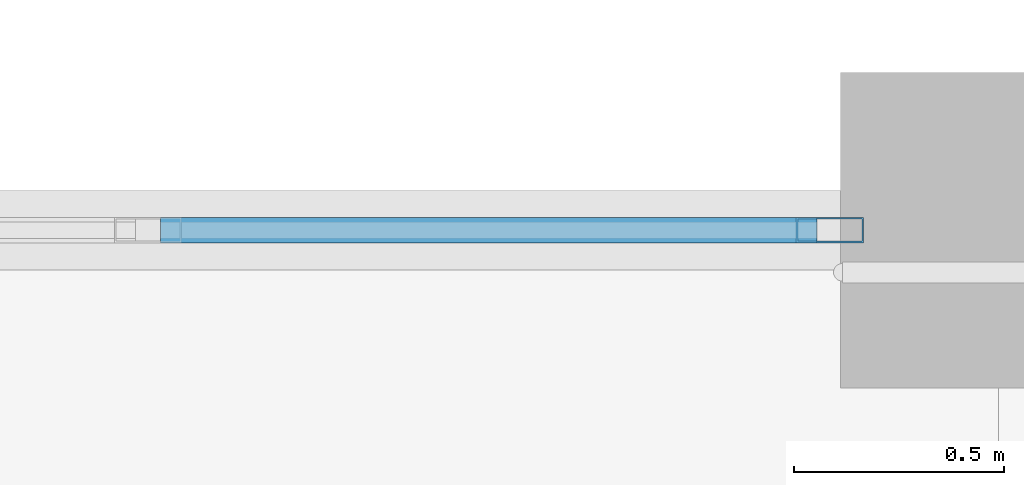
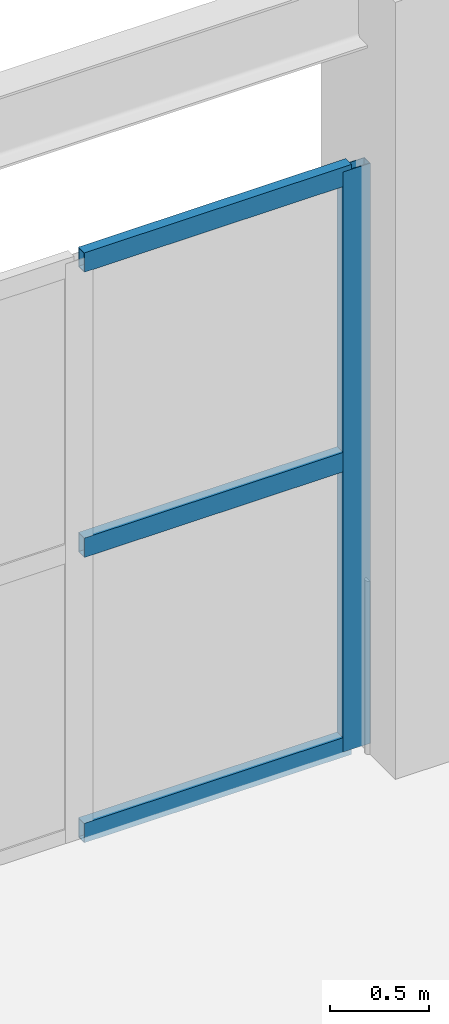
# One storey, part 45 of 89: 4 members, 1 element without a shape of its own.
"""IFC4 building model written with IfcOpenShell, lengths in metres."""

import ifcopenshell
import ifcopenshell.guid

model = None  # the IFC model being written
_history = None  # IfcOwnerHistory: only IFC2X3 demands one
_inside = {}  # id of a spatial element -> (the spatial element, [elements in it])
_under = {}  # id of a project, library or spatial element -> (it, [spatial elements below it])
_declared = {}  # id of a project -> (the project, [libraries it declares])
_typed = {}  # id of a type object -> (the type object, [elements of that type])
_made_of = {}  # id of a material, layer set ... -> (it, [elements and type objects made of it])


def new_model(schema):
    """Start an empty IFC model of exactly this schema.

    Asked for "IFC4X3", IfcOpenShell would pick the latest addendum, in which some entities
    have other attributes; the version numbers below select the first issue.
    IFC2X3 requires an IfcOwnerHistory on every rooted entity: one is made here for all.
    """
    global model, _history
    if schema == "IFC4X3":
        model = ifcopenshell.file(schema_version=(4, 3, 0, 0))
    else:
        model = ifcopenshell.file(schema=schema)
    _inside.clear()
    _under.clear()
    _declared.clear()
    _typed.clear()
    _made_of.clear()
    _history = None
    if model.schema == "IFC2X3":
        org = make("IfcOrganization", Name="unknown")
        user = make(
            "IfcPersonAndOrganization",
            ThePerson=make("IfcPerson", FamilyName="unknown"),
            TheOrganization=org,
        )
        app = make(
            "IfcApplication",
            ApplicationDeveloper=org,
            Version="unknown",
            ApplicationFullName="unknown",
            ApplicationIdentifier="unknown",
        )
        _history = make(
            "IfcOwnerHistory",
            OwningUser=user,
            OwningApplication=app,
            ChangeAction="ADDED",
            CreationDate=0,
        )
    return model


def make(cls, **values):
    """One entity of the class cls with the attributes given. An attribute that is None is left unset."""
    return model.create_entity(
        cls, **{name: value for name, value in values.items() if value is not None}
    )


def rooted(cls, **values):
    """An entity with a GlobalId (a new one), such as an element, a storey or a relation."""
    return make(cls, GlobalId=ifcopenshell.guid.new(), OwnerHistory=_history, **values)


def si_unit(unit_type, name, prefix=None):
    """IfcSIUnit, for example si_unit("LENGTHUNIT", "METRE", prefix="MILLI")."""
    return make("IfcSIUnit", UnitType=unit_type, Prefix=prefix, Name=name)


def assignment(units):
    """IfcUnitAssignment: the units of a project."""
    return None if units is None else make("IfcUnitAssignment", Units=units)


def point(xyz):
    """IfcCartesianPoint."""
    return None if xyz is None else make("IfcCartesianPoint", Coordinates=xyz)


def direction(xyz):
    """IfcDirection."""
    return None if xyz is None else make("IfcDirection", DirectionRatios=xyz)


def frame(location, z_axis=None, x_axis=None):
    """IfcAxis2Placement3D, a coordinate frame: its origin and axes. An axis left out is left unset."""
    return make(
        "IfcAxis2Placement3D",
        Location=point(location),
        Axis=direction(z_axis),
        RefDirection=direction(x_axis),
    )


def frame_2d(location, x_axis=None):
    """IfcAxis2Placement2D, a coordinate frame in the plane: its origin and x axis."""
    return make(
        "IfcAxis2Placement2D", Location=point(location), RefDirection=direction(x_axis)
    )


def origin():
    """The frame at (0, 0, 0) with its axes left unset."""
    return frame((0.0, 0.0, 0.0))


def origin_2d():
    """The frame at (0, 0) in the plane with its x axis left unset."""
    return frame_2d((0.0, 0.0))


def place(relative_to, where):
    """IfcLocalPlacement: puts the frame where relative to a parent placement (None: the world)."""
    return make(
        "IfcLocalPlacement", PlacementRelTo=relative_to, RelativePlacement=where
    )


def context(
    kind, dimensions, precision=None, world=None, true_north=None, identifier=None
):
    """IfcGeometricRepresentationContext, for example the 3D "Model" context."""
    return make(
        "IfcGeometricRepresentationContext",
        ContextIdentifier=identifier,
        ContextType=kind,
        CoordinateSpaceDimension=dimensions,
        Precision=precision,
        WorldCoordinateSystem=world,
        TrueNorth=true_north,
    )


def subcontext(parent, identifier, kind, view, scale=None):
    """IfcGeometricRepresentationSubContext, for example "Body" below "Model"."""
    return make(
        "IfcGeometricRepresentationSubContext",
        ContextIdentifier=identifier,
        ContextType=kind,
        ParentContext=parent,
        TargetScale=scale,
        TargetView=view,
    )


def project(units=None, contexts=None):
    """IfcProject with its units and contexts."""
    return rooted(
        "IfcProject",
        Name="project",
        RepresentationContexts=contexts,
        UnitsInContext=assignment(units),
    )


def spatial(cls, under=None, at=None, **own):
    """A site, building, storey or space (cls), placed at a placement, below another one or the project."""
    s = rooted(cls, ObjectPlacement=at, **own)
    if under is not None:
        _under.setdefault(under.id(), (under, []))[1].append(s)
    return s


def profile(cls, at=None, kind="AREA", **sizes):
    """A parametric profile (cls). Its sizes go by their IFC names, for example OverallWidth=200.0."""
    return make(cls, ProfileType=kind, Position=at, **sizes)


def hollow_rectangle(**sizes):
    """IfcRectangleHollowProfileDef."""
    return profile("IfcRectangleHollowProfileDef", **sizes)


def extrude(swept, where, along, depth):
    """IfcExtrudedAreaSolid: the profile swept, set in the frame where, extruded along a direction by depth."""
    return make(
        "IfcExtrudedAreaSolid",
        SweptArea=swept,
        Position=where,
        ExtrudedDirection=direction(along),
        Depth=depth,
    )


def shape(context_of_items, identifier, shape_type, items):
    """IfcShapeRepresentation: the items that make up one representation, for example the "Body"."""
    return make(
        "IfcShapeRepresentation",
        ContextOfItems=context_of_items,
        RepresentationIdentifier=identifier,
        RepresentationType=shape_type,
        Items=items,
    )


def material(Name=None, Category=None):
    """IfcMaterial."""
    return make("IfcMaterial", Name=Name, Category=Category)


def layer(
    of_material, thickness, ventilated=None, Name=None, Category=None, Priority=None
):
    """IfcMaterialLayer: one layer of a wall or slab, of a material (None: an air gap)."""
    return make(
        "IfcMaterialLayer",
        Material=of_material,
        LayerThickness=thickness,
        IsVentilated=ventilated,
        Name=Name,
        Category=Category,
        Priority=Priority,
    )


def layer_set(layers, Name=None):
    """IfcMaterialLayerSet."""
    return make("IfcMaterialLayerSet", MaterialLayers=layers, LayerSetName=Name)


def material_profile(
    of_material, cross_section, Name=None, Category=None, Priority=None
):
    """IfcMaterialProfile: a cross section and its material."""
    return make(
        "IfcMaterialProfile",
        Name=Name,
        Material=of_material,
        Profile=cross_section,
        Priority=Priority,
        Category=Category,
    )


def profile_set(profiles, Name=None, composite=None):
    """IfcMaterialProfileSet."""
    return make(
        "IfcMaterialProfileSet",
        Name=Name,
        MaterialProfiles=profiles,
        CompositeProfile=composite,
    )


def made_of(thing, what):
    """Note that an element or type object is made of a material, layer set ...; save() writes the relation."""
    if what is not None:
        _made_of.setdefault(what.id(), (what, []))[1].append(thing)
    return thing


def type_object(cls, material=None, **own):
    """A type object (cls), such as IfcWallType, which elements share."""
    return made_of(rooted(cls, **own), material)


def element(
    cls,
    number,
    at=None,
    inside=None,
    cuts=None,
    type_object=None,
    material=None,
    context=None,
    identifier="Body",
    shape_type=None,
    held_by="IfcProductDefinitionShape",
    body=None,
    shapes=None,
    **own,
):
    """One element of the class cls, such as IfcWall. Its Tag is "e" and its number.

    at: its placement. inside: the storey or other place that contains it. cuts: it is an
    opening in that element (IfcRelVoidsElement). A single representation is given by context,
    identifier, shape_type and body (its items); several are given by shapes. held_by: the class
    of the entity that holds the representations. save() writes the other relations.
    """
    e = rooted(cls, Tag="e%d" % number, ObjectPlacement=at, **own)
    if body is not None:
        shapes = [shape(context, identifier, shape_type, body)]
    if shapes is not None:
        e.Representation = make(held_by, Representations=shapes)
    if inside is not None:
        _inside.setdefault(inside.id(), (inside, []))[1].append(e)
    if cuts is not None:
        rooted(
            "IfcRelVoidsElement", RelatingBuildingElement=cuts, RelatedOpeningElement=e
        )
    if type_object is not None:
        _typed.setdefault(type_object.id(), (type_object, []))[1].append(e)
    return made_of(e, material)


def aggregate(whole, parts):
    """IfcRelAggregates: a whole, such as a stair, and the parts it consists of."""
    return rooted("IfcRelAggregates", RelatingObject=whole, RelatedObjects=parts)


def save(model, path):
    """Write the relations noted so far, then the file.

    IfcRelAggregates (storeys below a building ...), IfcRelContainedInSpatialStructure (elements
    in a storey), IfcRelDefinesByType, IfcRelAssociatesMaterial and IfcRelDeclares: one each for
    every whole, place, type object, material and project.
    """
    for whole, parts in _under.values():
        aggregate(whole, parts)
    for where, things in _inside.values():
        rooted(
            "IfcRelContainedInSpatialStructure",
            RelatedElements=things,
            RelatingStructure=where,
        )
    for kind, things in _typed.values():
        rooted("IfcRelDefinesByType", RelatedObjects=things, RelatingType=kind)
    for what, things in _made_of.values():
        rooted("IfcRelAssociatesMaterial", RelatedObjects=things, RelatingMaterial=what)
    for by, libraries in _declared.values():
        rooted("IfcRelDeclares", RelatingContext=by, RelatedDefinitions=libraries)
    model.write(path)


model = new_model("IFC4")

# Units and contexts
model_context = context("Model", 3, precision=1e-05, world=origin(), true_north=direction((0.0, 1.0)))
body_context = subcontext(model_context, "Body", "Model", "MODEL_VIEW")
ifc_project = project(units=[si_unit("LENGTHUNIT", "METRE"), si_unit("AREAUNIT", "SQUARE_METRE"), si_unit("VOLUMEUNIT", "CUBIC_METRE"), si_unit("PLANEANGLEUNIT", "RADIAN"), si_unit("MASSUNIT", "GRAM", prefix="KILO")], contexts=[model_context])

# Site, building, storey
site_placement = place(None, origin())
site = spatial("IfcSite", under=ifc_project, at=site_placement, CompositionType="ELEMENT")
building_placement = place(site_placement, origin())
building = spatial("IfcBuilding", under=site, at=building_placement, Name="Dornveld Trade and Exhibition Forum", CompositionType="ELEMENT")
storey_placement = place(building_placement, frame((0.0, 0.0, 12.0)))
storey = spatial("IfcBuildingStorey", under=building, at=storey_placement, Name="L02", CompositionType="ELEMENT", Elevation=12.0)

# Curtain wall, members
ifc_material_1 = material(Name="Dark-bronze anodised aluminium and low-E glass", Category="aluminium")
ifc_layer = layer(ifc_material_1, 0.159912109375)
ifc_layer_set = layer_set([ifc_layer], Name="Dark-bronze anodised aluminium and low-E glass")
curtain_wall_type = type_object("IfcCurtainWallType", Name="CW-SYS-06", PredefinedType="USERDEFINED", material=ifc_layer_set)
curtain_wall_placement = place(storey_placement, origin())
curtain_wall = element("IfcCurtainWall", 1, at=curtain_wall_placement, inside=storey, type_object=curtain_wall_type, Name="L02 unitised curtain wall 24", ObjectType="UNITISED_CURTAIN_WALL", PredefinedType="USERDEFINED")
ifc_material_2 = material(Name="Dark-bronze anodised aluminium", Category="aluminium")
ifc_material_profile_1 = material_profile(ifc_material_2, hollow_rectangle(XDim=0.06005859375, YDim=0.159912109375, WallThickness=0.00390625, at=origin_2d()), Name="RHS 160x60x4")
ifc_profile_set_1 = profile_set([ifc_material_profile_1], Name="Dark-bronze anodised aluminium")
member_type_1 = type_object("IfcMemberType", Name="CW-MUL-160", PredefinedType="MULLION", material=ifc_profile_set_1)
member_1_placement = place(storey_placement, frame((53.59912109375, 135.0, -0.00390625), z_axis=(0.0, 0.0, 1.0), x_axis=(0.0, -1.0, 0.0)))
member_1 = element("IfcMember", 2, at=member_1_placement, type_object=member_type_1, Name="CW-06 mullion 1", PredefinedType="MULLION", context=body_context, shape_type="SweptSolid", body=[
    extrude(hollow_rectangle(XDim=0.06005859375, YDim=0.159912109375, WallThickness=0.00390625, at=origin_2d()), origin(), (0.0, 0.0, 1.0), 3.583984375),
])
ifc_material_3 = material(Name="Dark-bronze anodised aluminium", Category="aluminium")
ifc_material_profile_2 = material_profile(ifc_material_3, hollow_rectangle(XDim=0.06005859375, YDim=0.1201171875, WallThickness=0.00390625, at=origin_2d()), Name="RHS 120x60x4")
ifc_profile_set_2 = profile_set([ifc_material_profile_2], Name="Dark-bronze anodised aluminium")
member_type_2 = type_object("IfcMemberType", Name="CW-TRN-120", PredefinedType="USERDEFINED", material=ifc_profile_set_2)
member_2_placement = place(storey_placement, frame((53.569091796875, 135.0, 0.02587890625), z_axis=(-1.0, 0.0, 0.0), x_axis=(0.0, -1.0, 0.0)))
member_2 = element("IfcMember", 3, at=member_2_placement, type_object=member_type_2, Name="CW-06 transom 1.1", ObjectType="TRANSOM", PredefinedType="USERDEFINED", context=body_context, shape_type="SweptSolid", body=[
    extrude(hollow_rectangle(XDim=0.06005859375, YDim=0.1201171875, WallThickness=0.00390625, at=origin_2d()), origin(), (0.0, 0.0, 1.0), 1.561767578125),
])
member_3_placement = place(storey_placement, frame((53.569091796875, 135.0, 1.7880859375), z_axis=(-1.0, 0.0, 0.0), x_axis=(0.0, -1.0, 0.0)))
member_3 = element("IfcMember", 4, at=member_3_placement, type_object=member_type_2, Name="CW-06 transom 1.2", ObjectType="TRANSOM", PredefinedType="USERDEFINED", context=body_context, shape_type="SweptSolid", body=[
    extrude(hollow_rectangle(XDim=0.06005859375, YDim=0.1201171875, WallThickness=0.00390625, at=origin_2d()), origin(), (0.0, 0.0, 1.0), 1.561767578125),
])
member_4_placement = place(storey_placement, frame((53.569091796875, 135.0, 3.550048828125), z_axis=(-1.0, 0.0, 0.0), x_axis=(0.0, -1.0, 0.0)))
member_4 = element("IfcMember", 5, at=member_4_placement, type_object=member_type_2, Name="CW-06 transom 1.3", ObjectType="TRANSOM", PredefinedType="USERDEFINED", context=body_context, shape_type="SweptSolid", body=[
    extrude(hollow_rectangle(XDim=0.06005859375, YDim=0.1201171875, WallThickness=0.00390625, at=origin_2d()), origin(), (0.0, 0.0, 1.0), 1.561767578125),
])
aggregate(curtain_wall, [member_1, member_2, member_3, member_4])

save(model, "model.ifc")
